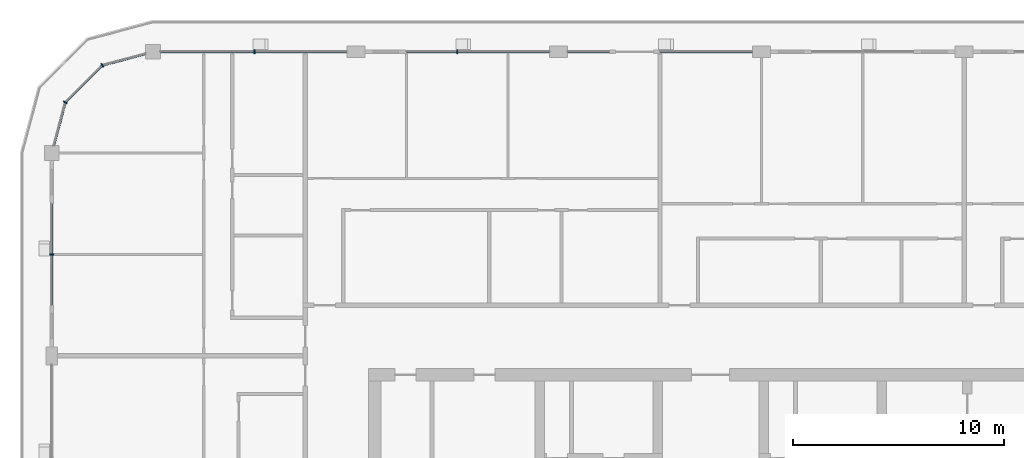
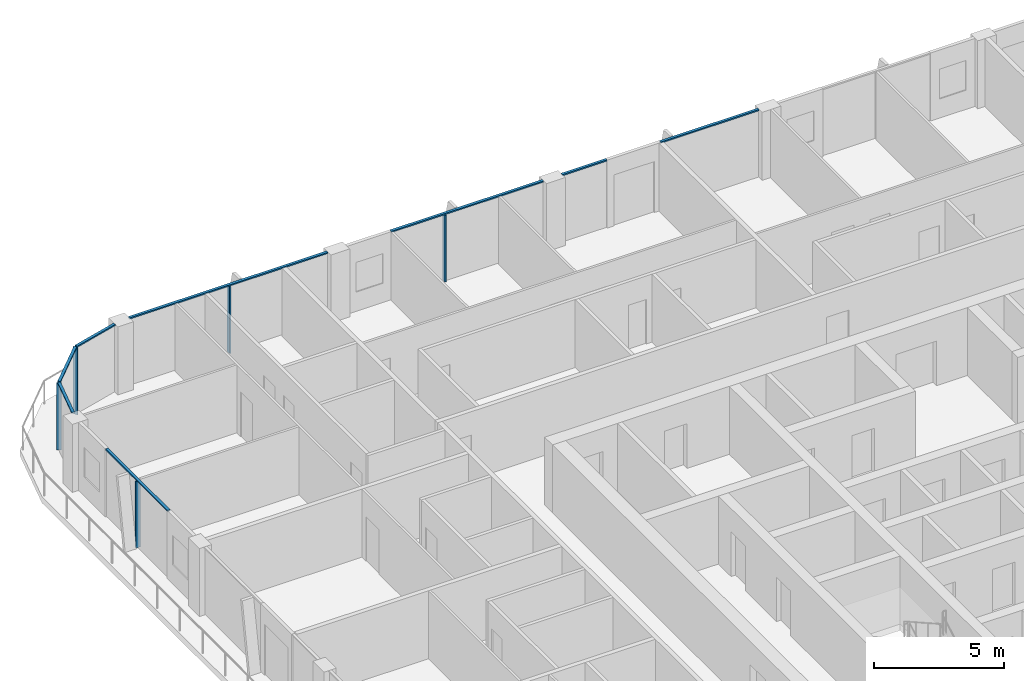
# One storey, part 5 of 22: 13 members, 5 elements without a shape of their own.
"""IFC4 building model written with IfcOpenShell, lengths in metres."""

import ifcopenshell
import ifcopenshell.guid

model = None  # the IFC model being written
_history = None  # IfcOwnerHistory: only IFC2X3 demands one
_inside = {}  # id of a spatial element -> (the spatial element, [elements in it])
_under = {}  # id of a project, library or spatial element -> (it, [spatial elements below it])
_declared = {}  # id of a project -> (the project, [libraries it declares])
_typed = {}  # id of a type object -> (the type object, [elements of that type])
_made_of = {}  # id of a material, layer set ... -> (it, [elements and type objects made of it])


def new_model(schema):
    """Start an empty IFC model of exactly this schema.

    Asked for "IFC4X3", IfcOpenShell would pick the latest addendum, in which some entities
    have other attributes; the version numbers below select the first issue.
    IFC2X3 requires an IfcOwnerHistory on every rooted entity: one is made here for all.
    """
    global model, _history
    if schema == "IFC4X3":
        model = ifcopenshell.file(schema_version=(4, 3, 0, 0))
    else:
        model = ifcopenshell.file(schema=schema)
    _inside.clear()
    _under.clear()
    _declared.clear()
    _typed.clear()
    _made_of.clear()
    _history = None
    if model.schema == "IFC2X3":
        org = make("IfcOrganization", Name="unknown")
        user = make(
            "IfcPersonAndOrganization",
            ThePerson=make("IfcPerson", FamilyName="unknown"),
            TheOrganization=org,
        )
        app = make(
            "IfcApplication",
            ApplicationDeveloper=org,
            Version="unknown",
            ApplicationFullName="unknown",
            ApplicationIdentifier="unknown",
        )
        _history = make(
            "IfcOwnerHistory",
            OwningUser=user,
            OwningApplication=app,
            ChangeAction="ADDED",
            CreationDate=0,
        )
    return model


def make(cls, **values):
    """One entity of the class cls with the attributes given. An attribute that is None is left unset."""
    return model.create_entity(
        cls, **{name: value for name, value in values.items() if value is not None}
    )


def rooted(cls, **values):
    """An entity with a GlobalId (a new one), such as an element, a storey or a relation."""
    return make(cls, GlobalId=ifcopenshell.guid.new(), OwnerHistory=_history, **values)


def si_unit(unit_type, name, prefix=None):
    """IfcSIUnit, for example si_unit("LENGTHUNIT", "METRE", prefix="MILLI")."""
    return make("IfcSIUnit", UnitType=unit_type, Prefix=prefix, Name=name)


def assignment(units):
    """IfcUnitAssignment: the units of a project."""
    return None if units is None else make("IfcUnitAssignment", Units=units)


def point(xyz):
    """IfcCartesianPoint."""
    return None if xyz is None else make("IfcCartesianPoint", Coordinates=xyz)


def direction(xyz):
    """IfcDirection."""
    return None if xyz is None else make("IfcDirection", DirectionRatios=xyz)


def frame(location, z_axis=None, x_axis=None):
    """IfcAxis2Placement3D, a coordinate frame: its origin and axes. An axis left out is left unset."""
    return make(
        "IfcAxis2Placement3D",
        Location=point(location),
        Axis=direction(z_axis),
        RefDirection=direction(x_axis),
    )


def frame_2d(location, x_axis=None):
    """IfcAxis2Placement2D, a coordinate frame in the plane: its origin and x axis."""
    return make(
        "IfcAxis2Placement2D", Location=point(location), RefDirection=direction(x_axis)
    )


def origin():
    """The frame at (0, 0, 0) with its axes left unset."""
    return frame((0.0, 0.0, 0.0))


def origin_2d():
    """The frame at (0, 0) in the plane with its x axis left unset."""
    return frame_2d((0.0, 0.0))


def place(relative_to, where):
    """IfcLocalPlacement: puts the frame where relative to a parent placement (None: the world)."""
    return make(
        "IfcLocalPlacement", PlacementRelTo=relative_to, RelativePlacement=where
    )


def context(
    kind, dimensions, precision=None, world=None, true_north=None, identifier=None
):
    """IfcGeometricRepresentationContext, for example the 3D "Model" context."""
    return make(
        "IfcGeometricRepresentationContext",
        ContextIdentifier=identifier,
        ContextType=kind,
        CoordinateSpaceDimension=dimensions,
        Precision=precision,
        WorldCoordinateSystem=world,
        TrueNorth=true_north,
    )


def subcontext(parent, identifier, kind, view, scale=None):
    """IfcGeometricRepresentationSubContext, for example "Body" below "Model"."""
    return make(
        "IfcGeometricRepresentationSubContext",
        ContextIdentifier=identifier,
        ContextType=kind,
        ParentContext=parent,
        TargetScale=scale,
        TargetView=view,
    )


def project(units=None, contexts=None):
    """IfcProject with its units and contexts."""
    return rooted(
        "IfcProject",
        Name="project",
        RepresentationContexts=contexts,
        UnitsInContext=assignment(units),
    )


def spatial(cls, under=None, at=None, **own):
    """A site, building, storey or space (cls), placed at a placement, below another one or the project."""
    s = rooted(cls, ObjectPlacement=at, **own)
    if under is not None:
        _under.setdefault(under.id(), (under, []))[1].append(s)
    return s


def profile(cls, at=None, kind="AREA", **sizes):
    """A parametric profile (cls). Its sizes go by their IFC names, for example OverallWidth=200.0."""
    return make(cls, ProfileType=kind, Position=at, **sizes)


def rectangle(**sizes):
    """IfcRectangleProfileDef."""
    return profile("IfcRectangleProfileDef", **sizes)


def extrude(swept, where, along, depth):
    """IfcExtrudedAreaSolid: the profile swept, set in the frame where, extruded along a direction by depth."""
    return make(
        "IfcExtrudedAreaSolid",
        SweptArea=swept,
        Position=where,
        ExtrudedDirection=direction(along),
        Depth=depth,
    )


def shape(context_of_items, identifier, shape_type, items):
    """IfcShapeRepresentation: the items that make up one representation, for example the "Body"."""
    return make(
        "IfcShapeRepresentation",
        ContextOfItems=context_of_items,
        RepresentationIdentifier=identifier,
        RepresentationType=shape_type,
        Items=items,
    )


def material(Name=None, Category=None):
    """IfcMaterial."""
    return make("IfcMaterial", Name=Name, Category=Category)


def layer(
    of_material, thickness, ventilated=None, Name=None, Category=None, Priority=None
):
    """IfcMaterialLayer: one layer of a wall or slab, of a material (None: an air gap)."""
    return make(
        "IfcMaterialLayer",
        Material=of_material,
        LayerThickness=thickness,
        IsVentilated=ventilated,
        Name=Name,
        Category=Category,
        Priority=Priority,
    )


def layer_set(layers, Name=None):
    """IfcMaterialLayerSet."""
    return make("IfcMaterialLayerSet", MaterialLayers=layers, LayerSetName=Name)


def material_profile(
    of_material, cross_section, Name=None, Category=None, Priority=None
):
    """IfcMaterialProfile: a cross section and its material."""
    return make(
        "IfcMaterialProfile",
        Name=Name,
        Material=of_material,
        Profile=cross_section,
        Priority=Priority,
        Category=Category,
    )


def profile_set(profiles, Name=None, composite=None):
    """IfcMaterialProfileSet."""
    return make(
        "IfcMaterialProfileSet",
        Name=Name,
        MaterialProfiles=profiles,
        CompositeProfile=composite,
    )


def made_of(thing, what):
    """Note that an element or type object is made of a material, layer set ...; save() writes the relation."""
    if what is not None:
        _made_of.setdefault(what.id(), (what, []))[1].append(thing)
    return thing


def type_object(cls, material=None, **own):
    """A type object (cls), such as IfcWallType, which elements share."""
    return made_of(rooted(cls, **own), material)


def element(
    cls,
    number,
    at=None,
    inside=None,
    cuts=None,
    type_object=None,
    material=None,
    context=None,
    identifier="Body",
    shape_type=None,
    held_by="IfcProductDefinitionShape",
    body=None,
    shapes=None,
    **own,
):
    """One element of the class cls, such as IfcWall. Its Tag is "e" and its number.

    at: its placement. inside: the storey or other place that contains it. cuts: it is an
    opening in that element (IfcRelVoidsElement). A single representation is given by context,
    identifier, shape_type and body (its items); several are given by shapes. held_by: the class
    of the entity that holds the representations. save() writes the other relations.
    """
    e = rooted(cls, Tag="e%d" % number, ObjectPlacement=at, **own)
    if body is not None:
        shapes = [shape(context, identifier, shape_type, body)]
    if shapes is not None:
        e.Representation = make(held_by, Representations=shapes)
    if inside is not None:
        _inside.setdefault(inside.id(), (inside, []))[1].append(e)
    if cuts is not None:
        rooted(
            "IfcRelVoidsElement", RelatingBuildingElement=cuts, RelatedOpeningElement=e
        )
    if type_object is not None:
        _typed.setdefault(type_object.id(), (type_object, []))[1].append(e)
    return made_of(e, material)


def aggregate(whole, parts):
    """IfcRelAggregates: a whole, such as a stair, and the parts it consists of."""
    return rooted("IfcRelAggregates", RelatingObject=whole, RelatedObjects=parts)


def save(model, path):
    """Write the relations noted so far, then the file.

    IfcRelAggregates (storeys below a building ...), IfcRelContainedInSpatialStructure (elements
    in a storey), IfcRelDefinesByType, IfcRelAssociatesMaterial and IfcRelDeclares: one each for
    every whole, place, type object, material and project.
    """
    for whole, parts in _under.values():
        aggregate(whole, parts)
    for where, things in _inside.values():
        rooted(
            "IfcRelContainedInSpatialStructure",
            RelatedElements=things,
            RelatingStructure=where,
        )
    for kind, things in _typed.values():
        rooted("IfcRelDefinesByType", RelatedObjects=things, RelatingType=kind)
    for what, things in _made_of.values():
        rooted("IfcRelAssociatesMaterial", RelatedObjects=things, RelatingMaterial=what)
    for by, libraries in _declared.values():
        rooted("IfcRelDeclares", RelatingContext=by, RelatedDefinitions=libraries)
    model.write(path)


model = new_model("IFC4")

# Units and contexts
model_context = context("Model", 3, precision=1e-05, world=origin(), true_north=direction((0.0, 1.0)))
body_context = subcontext(model_context, "Body", "Model", "MODEL_VIEW")
ifc_project = project(units=[si_unit("LENGTHUNIT", "METRE"), si_unit("AREAUNIT", "SQUARE_METRE"), si_unit("VOLUMEUNIT", "CUBIC_METRE"), si_unit("PLANEANGLEUNIT", "RADIAN"), si_unit("MASSUNIT", "GRAM", prefix="KILO")], contexts=[model_context])

# Site, building, storey
site_placement = place(None, origin())
site = spatial("IfcSite", under=ifc_project, at=site_placement, CompositionType="ELEMENT")
building_placement = place(site_placement, origin())
building = spatial("IfcBuilding", under=site, at=building_placement, Name="Madar Terraces", CompositionType="ELEMENT")
storey_placement = place(building_placement, frame((0.0, 0.0, 256.199951171875)))
storey = spatial("IfcBuildingStorey", under=building, at=storey_placement, Name="L67", CompositionType="ELEMENT", Elevation=256.199951171875)

# Curtain wall, member
ifc_material_1 = material(Name="Glass, ceramic frit dark grey, with black aluminium frame", Category="aluminium")
ifc_layer = layer(ifc_material_1, 0.199951171875)
ifc_layer_set = layer_set([ifc_layer], Name="Facade curtain wall, fritted glass")
curtain_wall_type = type_object("IfcCurtainWallType", Name="Facade curtain wall, fritted glass", PredefinedType="NOTDEFINED", material=ifc_layer_set)
curtain_wall_1_placement = place(storey_placement, origin())
curtain_wall_1 = element("IfcCurtainWall", 1, at=curtain_wall_1_placement, inside=storey, type_object=curtain_wall_type, Name="Outer skin curtain wall north bay 4", PredefinedType="NOTDEFINED")
ifc_material_2 = material(Name="Aluminium, black anodised", Category="aluminium")
ifc_material_profile_1 = material_profile(ifc_material_2, rectangle(XDim=0.199951171875, YDim=0.06005859375, at=origin_2d()), Name="Facade mullion 60x200")
ifc_profile_set_1 = profile_set([ifc_material_profile_1], Name="Aluminium, black anodised")
member_type_1 = type_object("IfcMemberType", Name="Facade mullion 60x200", PredefinedType="MULLION", material=ifc_profile_set_1)
member_1_placement = place(storey_placement, frame((19.199951171875, 52.800048828125, 0.0), z_axis=(0.0, 0.0, 1.0), x_axis=(0.0, -1.0, 0.0)))
member_1 = element("IfcMember", 2, at=member_1_placement, type_object=member_type_1, Name="Mullion 1", PredefinedType="MULLION", context=body_context, shape_type="SweptSolid", body=[
    extrude(rectangle(XDim=0.199951171875, YDim=0.06005859375, at=origin_2d()), origin(), (0.0, 0.0, 1.0), 3.14013671875),
])

curtain_wall_2_placement = place(storey_placement, origin())
curtain_wall_2 = element("IfcCurtainWall", 3, at=curtain_wall_2_placement, inside=storey, type_object=curtain_wall_type, Name="Outer skin curtain wall north bay 5", PredefinedType="NOTDEFINED")
member_2_placement = place(storey_placement, frame((9.60009765625, 52.800048828125, 0.0), z_axis=(0.0, 0.0, 1.0), x_axis=(0.0, -1.0, 0.0)))
member_2 = element("IfcMember", 4, at=member_2_placement, type_object=member_type_1, Name="Mullion 1", PredefinedType="MULLION", context=body_context, shape_type="SweptSolid", body=[
    extrude(rectangle(XDim=0.199951171875, YDim=0.06005859375, at=origin_2d()), origin(), (0.0, 0.0, 1.0), 3.14013671875),
])

curtain_wall_3_placement = place(storey_placement, origin())
curtain_wall_3 = element("IfcCurtainWall", 5, at=curtain_wall_3_placement, inside=storey, type_object=curtain_wall_type, Name="Outer skin curtain wall west bay 1", PredefinedType="NOTDEFINED")
member_3_placement = place(storey_placement, frame((0.0, 43.199951171875, 0.0), z_axis=(0.0, 0.0, 1.0), x_axis=(1.0, 0.0, 0.0)))
member_3 = element("IfcMember", 6, at=member_3_placement, type_object=member_type_1, Name="Mullion 1", PredefinedType="MULLION", context=body_context, shape_type="SweptSolid", body=[
    extrude(rectangle(XDim=0.199951171875, YDim=0.06005859375, at=origin_2d()), origin(), (0.0, 0.0, 1.0), 3.14013671875),
])

# Curtain wall, members
curtain_wall_4_placement = place(storey_placement, origin())
curtain_wall_4 = element("IfcCurtainWall", 7, at=curtain_wall_4_placement, inside=storey, type_object=curtain_wall_type, Name="Outer skin curtain wall north-west corner", PredefinedType="NOTDEFINED")
member_4_placement = place(storey_placement, frame((2.39990234375, 52.156982421875, 0.0), z_axis=(0.0, 0.0, 1.0), x_axis=(0.499999989586, -0.866025409797, 0.0)))
member_4 = element("IfcMember", 8, at=member_4_placement, type_object=member_type_1, Name="Mullion 1", PredefinedType="MULLION", context=body_context, shape_type="SweptSolid", body=[
    extrude(rectangle(XDim=0.199951171875, YDim=0.06005859375, at=origin_2d()), origin(), (0.0, 0.0, 1.0), 3.14013671875),
])
member_5_placement = place(storey_placement, frame((0.64306640625, 50.39990234375, 0.0), z_axis=(0.0, 0.0, 1.0), x_axis=(0.866025409797, -0.499999989586, 0.0)))
member_5 = element("IfcMember", 9, at=member_5_placement, type_object=member_type_1, Name="Mullion 2", PredefinedType="MULLION", context=body_context, shape_type="SweptSolid", body=[
    extrude(rectangle(XDim=0.199951171875, YDim=0.06005859375, at=origin_2d()), origin(), (0.0, 0.0, 1.0), 3.14013671875),
])

curtain_wall_5_placement = place(storey_placement, origin())
curtain_wall_5 = element("IfcCurtainWall", 10, at=curtain_wall_5_placement, inside=storey, type_object=curtain_wall_type, Name="Outer skin curtain wall north bay 3", PredefinedType="NOTDEFINED")
ifc_material_3 = material(Name="Aluminium, black anodised", Category="aluminium")
ifc_material_profile_2 = material_profile(ifc_material_3, rectangle(XDim=0.1201171875, YDim=0.06005859375, at=origin_2d()), Name="Facade transom 60x120")
ifc_profile_set_2 = profile_set([ifc_material_profile_2], Name="Aluminium, black anodised")
member_type_2 = type_object("IfcMemberType", Name="Facade transom 60x120", PredefinedType="USERDEFINED", material=ifc_profile_set_2)
member_6_placement = place(storey_placement, frame((33.175048828125, 52.800048828125, 3.170166015625), z_axis=(-1.0, 0.0, 0.0), x_axis=(0.0, -1.0, 0.0)))
member_6 = element("IfcMember", 11, at=member_6_placement, type_object=member_type_2, Name="Transom 1", ObjectType="TRANSOM", PredefinedType="USERDEFINED", context=body_context, shape_type="SweptSolid", body=[
    extrude(rectangle(XDim=0.1201171875, YDim=0.06005859375, at=origin_2d()), origin(), (0.0, 0.0, 1.0), 4.375),
])
member_7_placement = place(storey_placement, frame((26.39990234375, 52.800048828125, 3.170166015625), z_axis=(-1.0, 0.0, 0.0), x_axis=(0.0, -1.0, 0.0)))
member_7 = element("IfcMember", 12, at=member_7_placement, type_object=member_type_2, Name="Transom 2", ObjectType="TRANSOM", PredefinedType="USERDEFINED", context=body_context, shape_type="SweptSolid", body=[
    extrude(rectangle(XDim=0.1201171875, YDim=0.06005859375, at=origin_2d()), origin(), (0.0, 0.0, 1.0), 1.974853515625),
])
aggregate(curtain_wall_5, [member_6, member_7])

# Member
member_8_placement = place(storey_placement, frame((23.574951171875, 52.800048828125, 3.170166015625), z_axis=(-1.0, 0.0, 0.0), x_axis=(0.0, -1.0, 0.0)))
member_8 = element("IfcMember", 13, at=member_8_placement, type_object=member_type_2, Name="Transom 1", ObjectType="TRANSOM", PredefinedType="USERDEFINED", context=body_context, shape_type="SweptSolid", body=[
    extrude(rectangle(XDim=0.1201171875, YDim=0.06005859375, at=origin_2d()), origin(), (0.0, 0.0, 1.0), 6.77490234375),
])

aggregate(curtain_wall_1, [member_1, member_8])

member_9_placement = place(storey_placement, frame((13.97509765625, 52.800048828125, 3.170166015625), z_axis=(-1.0, 0.0, 0.0), x_axis=(0.0, -1.0, 0.0)))
member_9 = element("IfcMember", 14, at=member_9_placement, type_object=member_type_2, Name="Transom 1", ObjectType="TRANSOM", PredefinedType="USERDEFINED", context=body_context, shape_type="SweptSolid", body=[
    extrude(rectangle(XDim=0.1201171875, YDim=0.06005859375, at=origin_2d()), origin(), (0.0, 0.0, 1.0), 8.8251953125),
])

aggregate(curtain_wall_2, [member_2, member_9])

member_10_placement = place(storey_placement, frame((0.0, 45.60009765625, 3.170166015625), z_axis=(0.0, -1.0, 0.0), x_axis=(1.0, 0.0, 0.0)))
member_10 = element("IfcMember", 15, at=member_10_placement, type_object=member_type_2, Name="Transom 1", ObjectType="TRANSOM", PredefinedType="USERDEFINED", context=body_context, shape_type="SweptSolid", body=[
    extrude(rectangle(XDim=0.1201171875, YDim=0.06005859375, at=origin_2d()), origin(), (0.0, 0.0, 1.0), 4.800048828125),
])

aggregate(curtain_wall_3, [member_3, member_10])

member_11_placement = place(storey_placement, frame((4.449951171875, 52.706298828125, 3.170166015625), z_axis=(-0.965928259589, -0.258809963731, 0.0), x_axis=(0.258809963731, -0.965928259589, 0.0)))
member_11 = element("IfcMember", 16, at=member_11_placement, type_object=member_type_2, Name="Transom 1", ObjectType="TRANSOM", PredefinedType="USERDEFINED", context=body_context, shape_type="SweptSolid", body=[
    extrude(rectangle(XDim=0.1201171875, YDim=0.06005859375, at=origin_2d()), origin(), (0.0, 0.0, 1.0), 2.09228515625),
])

member_12_placement = place(storey_placement, frame((2.37890625, 52.1357421875, 3.170166015625), z_axis=(-0.707106781187, -0.707106781187, 0.0), x_axis=(0.707106781187, -0.707106781187, 0.0)))
member_12 = element("IfcMember", 17, at=member_12_placement, type_object=member_type_2, Name="Transom 2", ObjectType="TRANSOM", PredefinedType="USERDEFINED", context=body_context, shape_type="SweptSolid", body=[
    extrude(rectangle(XDim=0.1201171875, YDim=0.06005859375, at=origin_2d()), origin(), (0.0, 0.0, 1.0), 2.4248046875),
])

member_13_placement = place(storey_placement, frame((0.63525390625, 50.37109375, 3.170166015625), z_axis=(-0.258809963731, -0.965928259589, 0.0), x_axis=(0.965928259589, -0.258809963731, 0.0)))
member_13 = element("IfcMember", 18, at=member_13_placement, type_object=member_type_2, Name="Transom 3", ObjectType="TRANSOM", PredefinedType="USERDEFINED", context=body_context, shape_type="SweptSolid", body=[
    extrude(rectangle(XDim=0.1201171875, YDim=0.06005859375, at=origin_2d()), origin(), (0.0, 0.0, 1.0), 2.09228515625),
])

aggregate(curtain_wall_4, [member_4, member_11, member_5, member_12, member_13])

save(model, "model.ifc")
